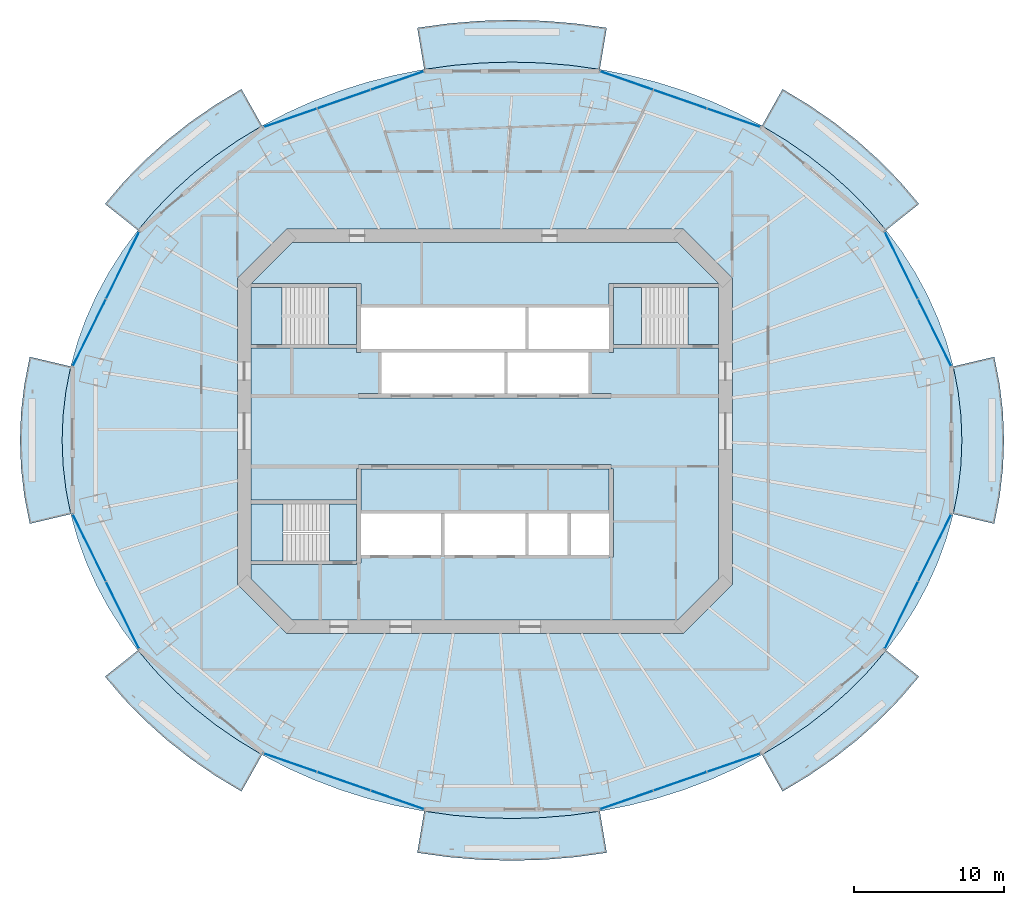
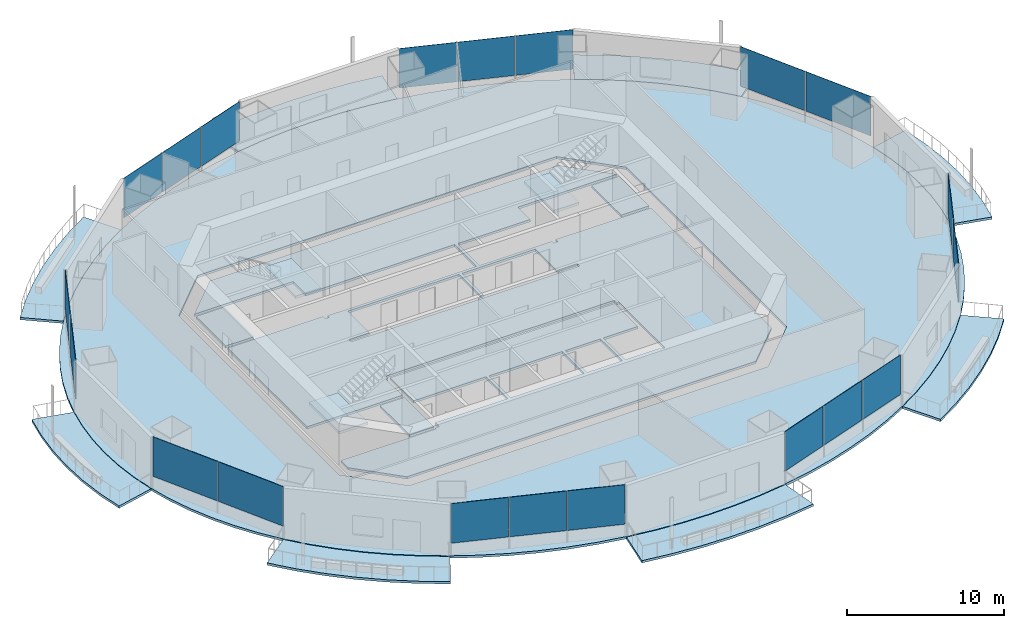
# One storey, part 9 of 19: 20 plates, 16 slabs, 11 elements without a shape of their own.
"""IFC4 building model written with IfcOpenShell, lengths in metres."""

from ifc_helpers import new_model, si_unit, direction, frame, origin, origin_2d, place, context, subcontext, project, spatial, polyline, rectangle, outline, extrude, material, layer, layer_set, type_object, element, aggregate, save


model = new_model("IFC4")

# Units and contexts
model_context = context("Model", 3, precision=1e-05, world=origin(), true_north=direction((0.0, 1.0)))
body_context = subcontext(model_context, "Body", "Model", "MODEL_VIEW")
ifc_project = project(units=[si_unit("LENGTHUNIT", "METRE"), si_unit("AREAUNIT", "SQUARE_METRE"), si_unit("VOLUMEUNIT", "CUBIC_METRE"), si_unit("PLANEANGLEUNIT", "RADIAN"), si_unit("MASSUNIT", "GRAM", prefix="KILO")], contexts=[model_context])

# Site, building, storey
site_placement = place(None, origin())
site = spatial("IfcSite", under=ifc_project, at=site_placement, CompositionType="ELEMENT")
building_placement = place(site_placement, origin())
building = spatial("IfcBuilding", under=site, at=building_placement, Name="Marenthal Gate Tower", CompositionType="ELEMENT")
storey_placement = place(building_placement, frame((0.0, 0.0, 256.5)))
storey = spatial("IfcBuildingStorey", under=building, at=storey_placement, Name="L57", CompositionType="ELEMENT", Elevation=256.5)

# Slabs
ifc_material_1 = material(Name="Concrete 40 MPa", Category="concrete")
ifc_layer_1 = layer(ifc_material_1, 0.179931640625)
ifc_layer_set_1 = layer_set([ifc_layer_1], Name="Balcony deck 180")
slab_type_1 = type_object("IfcSlabType", Name="Balcony deck 180", PredefinedType="USERDEFINED", material=ifc_layer_set_1)
slab_1_placement = place(storey_placement, frame((0.0, 0.0, -0.219970703125)))
element("IfcSlab", 1, at=slab_1_placement, inside=storey, type_object=slab_type_1, Name="Balcony deck L57 bay 2", ObjectType="BALCONY", PredefinedType="USERDEFINED", context=body_context, shape_type="SweptSolid", body=[
    extrude(outline(polyline([(26.68017578125, 13.374755859375), (25.53955078125, 14.712890625), (24.29736328125, 15.985107421875), (22.958740234375, 17.1865234375), (21.529541015625, 18.311767578125), (20.01611328125, 19.35595703125), (18.42431640625, 20.314697265625), (19.79541015625, 22.756103515625), (21.53369140625, 21.708984375), (23.191162109375, 20.565673828125), (24.760498046875, 19.329833984375), (26.23486328125, 18.006591796875), (27.607421875, 16.6005859375), (28.8720703125, 15.116943359375), (26.68017578125, 13.374755859375)])), origin(), (0.0, 0.0, 1.0), 0.179931640625),
])
slab_2_placement = place(storey_placement, frame((0.0, 0.0, -0.219970703125)))
element("IfcSlab", 2, at=slab_2_placement, inside=storey, type_object=slab_type_1, Name="Balcony deck L57 bay 4", ObjectType="BALCONY", PredefinedType="USERDEFINED", context=body_context, shape_type="SweptSolid", body=[
    extrude(outline(polyline([(7.6376953125, 24.07080078125), (5.705810546875, 24.3388671875), (3.757080078125, 24.5), (1.800048828125, 24.553955078125), (-0.156982421875, 24.5), (-2.105712890625, 24.3388671875), (-4.03759765625, 24.07080078125), (-4.49951171875, 26.832275390625), (-2.41357421875, 27.121826171875), (-0.31103515625, 27.2958984375), (1.800048828125, 27.35400390625), (3.9111328125, 27.2958984375), (6.013671875, 27.121826171875), (8.099365234375, 26.832275390625), (7.6376953125, 24.07080078125)])), origin(), (0.0, 0.0, 1.0), 0.179931640625),
])
slab_3_placement = place(storey_placement, frame((0.0, 0.0, -0.219970703125)))
element("IfcSlab", 3, at=slab_3_placement, inside=storey, type_object=slab_type_1, Name="Balcony deck L57 bay 6", ObjectType="BALCONY", PredefinedType="USERDEFINED", context=body_context, shape_type="SweptSolid", body=[
    extrude(outline(polyline([(-14.82421875, 20.314697265625), (-16.416015625, 19.35595703125), (-17.9296875, 18.311767578125), (-19.35888671875, 17.1865234375), (-20.697265625, 15.985107421875), (-21.939453125, 14.712890625), (-23.080078125, 13.374755859375), (-25.27197265625, 15.116943359375), (-24.007568359375, 16.6005859375), (-22.634765625, 18.006591796875), (-21.160400390625, 19.329833984375), (-19.591064453125, 20.565673828125), (-17.933837890625, 21.708984375), (-16.195556640625, 22.756103515625), (-14.82421875, 20.314697265625)])), origin(), (0.0, 0.0, 1.0), 0.179931640625),
])
slab_4_placement = place(storey_placement, frame((0.0, 0.0, -0.219970703125)))
element("IfcSlab", 4, at=slab_4_placement, inside=storey, type_object=slab_type_1, Name="Balcony deck L57 bay 8", ObjectType="BALCONY", PredefinedType="USERDEFINED", context=body_context, shape_type="SweptSolid", body=[
    extrude(outline(polyline([(-27.548095703125, 4.307373046875), (-27.866943359375, 2.683349609375), (-28.058837890625, 1.045166015625), (-28.123046875, -0.60009765625), (-28.058837890625, -2.2451171875), (-27.866943359375, -3.88330078125), (-27.548095703125, -5.50732421875), (-30.272705078125, -6.152099609375), (-30.63330078125, -4.316650390625), (-30.850341796875, -2.462890625), (-30.923095703125, -0.60009765625), (-30.850341796875, 1.262939453125), (-30.63330078125, 3.116455078125), (-30.272705078125, 4.9521484375), (-27.548095703125, 4.307373046875)])), origin(), (0.0, 0.0, 1.0), 0.179931640625),
])
slab_5_placement = place(storey_placement, frame((0.0, 0.0, -0.219970703125)))
element("IfcSlab", 5, at=slab_5_placement, inside=storey, type_object=slab_type_1, Name="Balcony deck L57 bay 10", ObjectType="BALCONY", PredefinedType="USERDEFINED", context=body_context, shape_type="SweptSolid", body=[
    extrude(outline(polyline([(-23.080078125, -14.57470703125), (-21.939453125, -15.912841796875), (-20.697265625, -17.185302734375), (-19.35888671875, -18.38671875), (-17.9296875, -19.51171875), (-16.416015625, -20.555908203125), (-14.82421875, -21.514892578125), (-16.195556640625, -23.9560546875), (-17.933837890625, -22.908935546875), (-19.591064453125, -21.765625), (-21.160400390625, -20.530029296875), (-22.634765625, -19.20654296875), (-24.007568359375, -17.800537109375), (-25.27197265625, -16.317138671875), (-23.080078125, -14.57470703125)])), origin(), (0.0, 0.0, 1.0), 0.179931640625),
])
slab_6_placement = place(storey_placement, frame((0.0, 0.0, -0.219970703125)))
element("IfcSlab", 6, at=slab_6_placement, inside=storey, type_object=slab_type_1, Name="Balcony deck L57 bay 12", ObjectType="BALCONY", PredefinedType="USERDEFINED", context=body_context, shape_type="SweptSolid", body=[
    extrude(outline(polyline([(-4.03759765625, -25.270751953125), (-2.105712890625, -25.538818359375), (-0.156982421875, -25.7001953125), (1.800048828125, -25.75390625), (3.757080078125, -25.7001953125), (5.705810546875, -25.538818359375), (7.6376953125, -25.270751953125), (8.099365234375, -28.032470703125), (6.013671875, -28.32177734375), (3.9111328125, -28.495849609375), (1.800048828125, -28.553955078125), (-0.31103515625, -28.495849609375), (-2.41357421875, -28.32177734375), (-4.49951171875, -28.032470703125), (-4.03759765625, -25.270751953125)])), origin(), (0.0, 0.0, 1.0), 0.179931640625),
])
slab_7_placement = place(storey_placement, frame((0.0, 0.0, -0.219970703125)))
element("IfcSlab", 7, at=slab_7_placement, inside=storey, type_object=slab_type_1, Name="Balcony deck L57 bay 14", ObjectType="BALCONY", PredefinedType="USERDEFINED", context=body_context, shape_type="SweptSolid", body=[
    extrude(outline(polyline([(18.42431640625, -21.514892578125), (20.01611328125, -20.555908203125), (21.529541015625, -19.51171875), (22.958740234375, -18.38671875), (24.29736328125, -17.185302734375), (25.53955078125, -15.912841796875), (26.68017578125, -14.57470703125), (28.8720703125, -16.317138671875), (27.607421875, -17.800537109375), (26.23486328125, -19.20654296875), (24.760498046875, -20.530029296875), (23.191162109375, -21.765625), (21.53369140625, -22.908935546875), (19.79541015625, -23.9560546875), (18.42431640625, -21.514892578125)])), origin(), (0.0, 0.0, 1.0), 0.179931640625),
])
slab_8_placement = place(storey_placement, frame((0.0, 0.0, -0.219970703125)))
element("IfcSlab", 8, at=slab_8_placement, inside=storey, type_object=slab_type_1, Name="Balcony deck L57 bay 16", ObjectType="BALCONY", PredefinedType="USERDEFINED", context=body_context, shape_type="SweptSolid", body=[
    extrude(outline(polyline([(31.14794921875, -5.50732421875), (31.467041015625, -3.88330078125), (31.658935546875, -2.2451171875), (31.722900390625, -0.60009765625), (31.658935546875, 1.045166015625), (31.467041015625, 2.683349609375), (31.14794921875, 4.307373046875), (33.872802734375, 4.9521484375), (34.2333984375, 3.116455078125), (34.450439453125, 1.262939453125), (34.52294921875, -0.60009765625), (34.450439453125, -2.462890625), (34.2333984375, -4.316650390625), (33.872802734375, -6.152099609375), (31.14794921875, -5.50732421875)])), origin(), (0.0, 0.0, 1.0), 0.179931640625),
])
ifc_material_2 = material(Name="Concrete 50 MPa", Category="concrete")
ifc_layer_2 = layer(ifc_material_2, 0.179931640625)
ifc_layer_set_2 = layer_set([ifc_layer_2], Name="Core floor slab 180")
slab_type_2 = type_object("IfcSlabType", Name="Core floor slab 180", PredefinedType="FLOOR", material=ifc_layer_set_2)
slab_9_placement = place(storey_placement, frame((0.0, 0.0, -0.179931640625)))
element("IfcSlab", 9, at=slab_9_placement, inside=storey, type_object=slab_type_2, Name="Core floor L57", PredefinedType="FLOOR", context=body_context, shape_type="SweptSolid", body=[
    extrude(outline(polyline([(12.813720703125, -12.550048828125), (-12.813720703125, -12.550048828125), (-15.550048828125, -9.813720703125), (-15.550048828125, -8.875), (-8.550048828125, -8.875), (-8.550048828125, -8.75), (-8.25, -8.75), (-8.25, -8.239990234375), (-5.60009765625, -8.239990234375), (-2.909912109375, -8.239990234375), (-2.909912109375, -5.4599609375), (-5.60009765625, -5.4599609375), (-8.25, -5.4599609375), (-8.25, -2.5), (8.25, -2.5), (8.25, -5.4599609375), (5.7099609375, -5.4599609375), (5.7099609375, -8.239990234375), (8.25, -8.239990234375), (8.25, -8.35009765625), (8.550048828125, -8.35009765625), (8.550048828125, -2.5), (8.39990234375, -2.5), (8.39990234375, -2.199951171875), (-8.39990234375, -2.199951171875), (-8.39990234375, -2.5), (-8.550048828125, -2.5), (-8.550048828125, -4.574951171875), (-15.550048828125, -4.574951171875), (-15.550048828125, 5.52490234375), (-8.550048828125, 5.52490234375), (-8.550048828125, 5.239990234375), (-8.25, 5.239990234375), (-8.25, 5.4599609375), (-5.60009765625, 5.4599609375), (-2.800048828125, 5.4599609375), (0.0, 5.4599609375), (2.68994140625, 5.4599609375), (2.68994140625, 8.239990234375), (0.0, 8.239990234375), (-2.800048828125, 8.239990234375), (-5.60009765625, 8.239990234375), (-8.25, 8.239990234375), (-8.25, 8.35009765625), (-8.25, 9.824951171875), (-8.550048828125, 9.824951171875), (-15.53857421875, 9.824951171875), (-12.813720703125, 12.550048828125), (12.813720703125, 12.550048828125), (15.53857421875, 9.824951171875), (8.550048828125, 9.824951171875), (8.25, 9.824951171875), (8.25, 8.35009765625), (8.25, 8.239990234375), (5.60009765625, 8.239990234375), (2.909912109375, 8.239990234375), (2.909912109375, 5.4599609375), (5.60009765625, 5.4599609375), (8.25, 5.4599609375), (8.25, 5.239990234375), (8.550048828125, 5.239990234375), (8.550048828125, 5.52490234375), (15.550048828125, 5.52490234375), (15.550048828125, -9.813720703125), (12.813720703125, -12.550048828125)]), holes=[polyline([(2.68994140625, -8.239990234375), (2.68994140625, -5.4599609375), (0.0, -5.4599609375), (-2.68994140625, -5.4599609375), (-2.68994140625, -8.239990234375), (0.0, -8.239990234375), (2.68994140625, -8.239990234375)]), polyline([(-6.889892578125, 5.239990234375), (-6.889892578125, 2.5), (-8.39990234375, 2.5), (-8.39990234375, 2.199951171875), (8.39990234375, 2.199951171875), (8.39990234375, 2.5), (6.889892578125, 2.5), (6.889892578125, 5.239990234375), (4.199951171875, 5.239990234375), (1.510009765625, 5.239990234375), (1.510009765625, 2.5), (1.2900390625, 2.5), (1.2900390625, 5.239990234375), (-1.39990234375, 5.239990234375), (-4.199951171875, 5.239990234375), (-6.889892578125, 5.239990234375)]), polyline([(5.489990234375, -5.4599609375), (2.909912109375, -5.4599609375), (2.909912109375, -8.239990234375), (5.489990234375, -8.239990234375), (5.489990234375, -5.4599609375)])]), origin(), (0.0, 0.0, 1.0), 0.179931640625),
])
slab_10_placement = place(storey_placement, frame((0.0, 0.0, -0.179931640625)))
element("IfcSlab", 10, at=slab_10_placement, inside=storey, type_object=slab_type_2, Name="Core floor L57", PredefinedType="FLOOR", context=body_context, shape_type="SweptSolid", body=[
    extrude(outline(polyline([(15.550048828125, 5.77490234375), (13.5, 5.77490234375), (13.5, 9.574951171875), (15.550048828125, 9.574951171875), (15.550048828125, 5.77490234375)])), origin(), (0.0, 0.0, 1.0), 0.179931640625),
])
slab_11_placement = place(storey_placement, frame((0.0, 0.0, -0.179931640625)))
element("IfcSlab", 11, at=slab_11_placement, inside=storey, type_object=slab_type_2, Name="Core floor L57", PredefinedType="FLOOR", context=body_context, shape_type="SweptSolid", body=[
    extrude(outline(polyline([(-15.550048828125, 9.574951171875), (-13.5, 9.574951171875), (-13.5, 5.77490234375), (-15.550048828125, 5.77490234375), (-15.550048828125, 9.574951171875)])), origin(), (0.0, 0.0, 1.0), 0.179931640625),
])
slab_12_placement = place(storey_placement, frame((0.0, 0.0, -0.179931640625)))
element("IfcSlab", 12, at=slab_12_placement, inside=storey, type_object=slab_type_2, Name="Core floor L57", PredefinedType="FLOOR", context=body_context, shape_type="SweptSolid", body=[
    extrude(outline(polyline([(-8.550048828125, -8.625), (-10.35009765625, -8.625), (-10.35009765625, -4.824951171875), (-8.550048828125, -4.824951171875), (-8.550048828125, -8.625)])), origin(), (0.0, 0.0, 1.0), 0.179931640625),
])
ifc_material_3 = material(Name="Concrete 35 MPa", Category="concrete")
ifc_layer_3 = layer(ifc_material_3, 0.179931640625)
ifc_layer_set_3 = layer_set([ifc_layer_3], Name="Floor slab 180")
slab_type_3 = type_object("IfcSlabType", Name="Floor slab 180", PredefinedType="FLOOR", material=ifc_layer_set_3)
slab_13_placement = place(storey_placement, frame((0.0, 0.0, -0.179931640625)))
element("IfcSlab", 13, at=slab_13_placement, inside=storey, type_object=slab_type_3, Name="SL-L57-01", PredefinedType="FLOOR", context=body_context, shape_type="SweptSolid", body=[
    extrude(outline(polyline([(31.722900390625, -0.60009765625), (31.658935546875, 1.045166015625), (31.467041015625, 2.683349609375), (31.14794921875, 4.307373046875), (30.703369140625, 5.910400390625), (30.135009765625, 7.485595703125), (29.4453125, 9.02587890625), (28.63720703125, 10.525390625), (27.714111328125, 11.97705078125), (26.68017578125, 13.374755859375), (25.53955078125, 14.712890625), (24.29736328125, 15.985107421875), (22.958740234375, 17.1865234375), (21.529541015625, 18.311767578125), (20.01611328125, 19.35595703125), (18.42431640625, 20.314697265625), (16.761474609375, 21.18408203125), (15.03466796875, 21.9599609375), (13.2509765625, 22.639404296875), (11.41845703125, 23.218994140625), (9.544677734375, 23.697021484375), (7.6376953125, 24.07080078125), (5.705810546875, 24.3388671875), (3.757080078125, 24.5), (1.800048828125, 24.553955078125), (-0.156982421875, 24.5), (-2.105712890625, 24.3388671875), (-4.03759765625, 24.07080078125), (-5.944580078125, 23.697021484375), (-7.818359375, 23.218994140625), (-9.65087890625, 22.639404296875), (-11.4345703125, 21.9599609375), (-13.16162109375, 21.18408203125), (-14.82421875, 20.314697265625), (-16.416015625, 19.35595703125), (-17.9296875, 18.311767578125), (-19.35888671875, 17.1865234375), (-20.697265625, 15.985107421875), (-21.939453125, 14.712890625), (-23.080078125, 13.374755859375), (-24.114013671875, 11.97705078125), (-25.037109375, 10.525390625), (-25.84521484375, 9.02587890625), (-26.534912109375, 7.485595703125), (-27.103515625, 5.910400390625), (-27.548095703125, 4.307373046875), (-27.866943359375, 2.683349609375), (-28.058837890625, 1.045166015625), (-28.123046875, -0.60009765625), (-28.058837890625, -2.2451171875), (-27.866943359375, -3.88330078125), (-27.548095703125, -5.50732421875), (-27.103515625, -7.1103515625), (-26.534912109375, -8.685546875), (-25.84521484375, -10.22607421875), (-25.037109375, -11.725341796875), (-24.114013671875, -13.177001953125), (-23.080078125, -14.57470703125), (-21.939453125, -15.912841796875), (-20.697265625, -17.185302734375), (-19.35888671875, -18.38671875), (-17.9296875, -19.51171875), (-16.416015625, -20.555908203125), (-14.82421875, -21.514892578125), (-13.16162109375, -22.384033203125), (-11.4345703125, -23.159912109375), (-9.65087890625, -23.83935546875), (-7.818359375, -24.419189453125), (-5.944580078125, -24.89697265625), (-4.03759765625, -25.270751953125), (-2.105712890625, -25.538818359375), (-0.156982421875, -25.7001953125), (1.800048828125, -25.75390625), (3.757080078125, -25.7001953125), (5.705810546875, -25.538818359375), (7.6376953125, -25.270751953125), (9.544677734375, -24.89697265625), (11.41845703125, -24.419189453125), (13.2509765625, -23.83935546875), (15.03466796875, -23.159912109375), (16.761474609375, -22.384033203125), (18.42431640625, -21.514892578125), (20.01611328125, -20.555908203125), (21.529541015625, -19.51171875), (22.958740234375, -18.38671875), (24.29736328125, -17.185302734375), (25.53955078125, -15.912841796875), (26.68017578125, -14.57470703125), (27.714111328125, -13.177001953125), (28.63720703125, -11.725341796875), (29.4453125, -10.22607421875), (30.135009765625, -8.685546875), (30.703369140625, -7.1103515625), (31.14794921875, -5.50732421875), (31.467041015625, -3.88330078125), (31.658935546875, -2.2451171875), (31.722900390625, -0.60009765625)]), holes=[polyline([(13.186279296875, -13.449951171875), (16.449951171875, -10.186279296875), (16.449951171875, 10.186279296875), (13.186279296875, 13.449951171875), (-13.186279296875, 13.449951171875), (-16.449951171875, 10.186279296875), (-16.449951171875, -10.186279296875), (-13.186279296875, -13.449951171875), (13.186279296875, -13.449951171875)])]), origin(), (0.0, 0.0, 1.0), 0.179931640625),
])

# Curtain wall, plates
ifc_material_4 = material(Name="Aluminium and glass", Category="aluminium")
curtain_wall_type = type_object("IfcCurtainWallType", Name="Curtain wall typical mid", PredefinedType="NOTDEFINED", material=ifc_material_4)
curtain_wall_1_placement = place(storey_placement, origin())
curtain_wall_1 = element("IfcCurtainWall", 14, at=curtain_wall_1_placement, inside=storey, type_object=curtain_wall_type, Name="Curtain wall L57 bay 1", PredefinedType="NOTDEFINED")
ifc_material_5 = material(Name="Glass, laminated insulating unit", Category="glass")
ifc_layer_4 = layer(ifc_material_5, 0.030029296875)
ifc_layer_set_4 = layer_set([ifc_layer_4], Name="Glass panel 30 typical mid")
plate_type = type_object("IfcPlateType", Name="Glass panel 30 typical mid", PredefinedType="CURTAIN_PANEL", material=ifc_layer_set_4)
plate_1_placement = place(storey_placement, frame((29.9111328125, 6.553466796875, 0.89990234375), z_axis=(0.0, 0.0, 1.0), x_axis=(-0.44226926732, 0.896882319585, 0.0)))
plate_1 = element("IfcPlate", 15, at=plate_1_placement, type_object=plate_type, Name="Glass panel L57 bay 1.1", PredefinedType="CURTAIN_PANEL", context=body_context, shape_type="SweptSolid", body=[
    extrude(rectangle(XDim=4.94091796875, YDim=0.030029296875, at=origin_2d()), origin(), (0.0, 0.0, 1.0), 3.070068359375),
])
plate_2_placement = place(storey_placement, frame((27.699462890625, 11.03857421875, 0.89990234375), z_axis=(0.0, 0.0, 1.0), x_axis=(-0.44226926732, 0.896882319585, 0.0)))
plate_2 = element("IfcPlate", 16, at=plate_2_placement, type_object=plate_type, Name="Glass panel L57 bay 1.2", PredefinedType="CURTAIN_PANEL", context=body_context, shape_type="SweptSolid", body=[
    extrude(rectangle(XDim=4.94091796875, YDim=0.030029296875, at=origin_2d()), origin(), (0.0, 0.0, 1.0), 3.070068359375),
])
aggregate(curtain_wall_1, [plate_1, plate_2])

curtain_wall_2_placement = place(storey_placement, origin())
curtain_wall_2 = element("IfcCurtainWall", 17, at=curtain_wall_2_placement, inside=storey, type_object=curtain_wall_type, Name="Curtain wall L57 bay 3", PredefinedType="NOTDEFINED")
plate_3_placement = place(storey_placement, frame((16.54833984375, 20.844482421875, 0.89990234375), z_axis=(0.0, 0.0, 1.0), x_axis=(-0.944465007872, 0.328612003593, 0.0)))
plate_3 = element("IfcPlate", 18, at=plate_3_placement, type_object=plate_type, Name="Glass panel L57 bay 3.1", PredefinedType="CURTAIN_PANEL", context=body_context, shape_type="SweptSolid", body=[
    extrude(rectangle(XDim=3.711669921875, YDim=0.030029296875, at=origin_2d()), origin(), (0.0, 0.0, 1.0), 3.070068359375),
])
plate_4_placement = place(storey_placement, frame((12.986083984375, 22.083984375, 0.89990234375), z_axis=(0.0, 0.0, 1.0), x_axis=(-0.944465007872, 0.328612003593, 0.0)))
plate_4 = element("IfcPlate", 19, at=plate_4_placement, type_object=plate_type, Name="Glass panel L57 bay 3.2", PredefinedType="CURTAIN_PANEL", context=body_context, shape_type="SweptSolid", body=[
    extrude(rectangle(XDim=3.711669921875, YDim=0.030029296875, at=origin_2d()), origin(), (0.0, 0.0, 1.0), 3.070068359375),
])
plate_5_placement = place(storey_placement, frame((9.423828125, 23.323486328125, 0.89990234375), z_axis=(0.0, 0.0, 1.0), x_axis=(-0.944465007872, 0.328612003593, 0.0)))
plate_5 = element("IfcPlate", 20, at=plate_5_placement, type_object=plate_type, Name="Glass panel L57 bay 3.3", PredefinedType="CURTAIN_PANEL", context=body_context, shape_type="SweptSolid", body=[
    extrude(rectangle(XDim=3.711669921875, YDim=0.030029296875, at=origin_2d()), origin(), (0.0, 0.0, 1.0), 3.070068359375),
])
aggregate(curtain_wall_2, [plate_3, plate_4, plate_5])

curtain_wall_3_placement = place(storey_placement, origin())
curtain_wall_3 = element("IfcCurtainWall", 21, at=curtain_wall_3_placement, inside=storey, type_object=curtain_wall_type, Name="Curtain wall L57 bay 5", PredefinedType="NOTDEFINED")
plate_6_placement = place(storey_placement, frame((-5.82373046875, 23.323486328125, 0.89990234375), z_axis=(0.0, 0.0, 1.0), x_axis=(-0.944465007872, -0.328612003593, 0.0)))
plate_6 = element("IfcPlate", 22, at=plate_6_placement, type_object=plate_type, Name="Glass panel L57 bay 5.1", PredefinedType="CURTAIN_PANEL", context=body_context, shape_type="SweptSolid", body=[
    extrude(rectangle(XDim=3.711669921875, YDim=0.030029296875, at=origin_2d()), origin(), (0.0, 0.0, 1.0), 3.070068359375),
])
plate_7_placement = place(storey_placement, frame((-9.385986328125, 22.083984375, 0.89990234375), z_axis=(0.0, 0.0, 1.0), x_axis=(-0.944465007872, -0.328612003593, 0.0)))
plate_7 = element("IfcPlate", 23, at=plate_7_placement, type_object=plate_type, Name="Glass panel L57 bay 5.2", PredefinedType="CURTAIN_PANEL", context=body_context, shape_type="SweptSolid", body=[
    extrude(rectangle(XDim=3.711669921875, YDim=0.030029296875, at=origin_2d()), origin(), (0.0, 0.0, 1.0), 3.070068359375),
])
plate_8_placement = place(storey_placement, frame((-12.9482421875, 20.844482421875, 0.89990234375), z_axis=(0.0, 0.0, 1.0), x_axis=(-0.944465007872, -0.328612003593, 0.0)))
plate_8 = element("IfcPlate", 24, at=plate_8_placement, type_object=plate_type, Name="Glass panel L57 bay 5.3", PredefinedType="CURTAIN_PANEL", context=body_context, shape_type="SweptSolid", body=[
    extrude(rectangle(XDim=3.711669921875, YDim=0.030029296875, at=origin_2d()), origin(), (0.0, 0.0, 1.0), 3.070068359375),
])
aggregate(curtain_wall_3, [plate_6, plate_7, plate_8])

curtain_wall_4_placement = place(storey_placement, origin())
curtain_wall_4 = element("IfcCurtainWall", 25, at=curtain_wall_4_placement, inside=storey, type_object=curtain_wall_type, Name="Curtain wall L57 bay 7", PredefinedType="NOTDEFINED")
plate_9_placement = place(storey_placement, frame((-24.099365234375, 11.03857421875, 0.89990234375), z_axis=(0.0, 0.0, 1.0), x_axis=(-0.44226926732, -0.896882319585, 0.0)))
plate_9 = element("IfcPlate", 26, at=plate_9_placement, type_object=plate_type, Name="Glass panel L57 bay 7.1", PredefinedType="CURTAIN_PANEL", context=body_context, shape_type="SweptSolid", body=[
    extrude(rectangle(XDim=4.94091796875, YDim=0.030029296875, at=origin_2d()), origin(), (0.0, 0.0, 1.0), 3.070068359375),
])
plate_10_placement = place(storey_placement, frame((-26.311279296875, 6.553466796875, 0.89990234375), z_axis=(0.0, 0.0, 1.0), x_axis=(-0.44226926732, -0.896882319585, 0.0)))
plate_10 = element("IfcPlate", 27, at=plate_10_placement, type_object=plate_type, Name="Glass panel L57 bay 7.2", PredefinedType="CURTAIN_PANEL", context=body_context, shape_type="SweptSolid", body=[
    extrude(rectangle(XDim=4.94091796875, YDim=0.030029296875, at=origin_2d()), origin(), (0.0, 0.0, 1.0), 3.070068359375),
])
aggregate(curtain_wall_4, [plate_9, plate_10])

curtain_wall_5_placement = place(storey_placement, origin())
curtain_wall_5 = element("IfcCurtainWall", 28, at=curtain_wall_5_placement, inside=storey, type_object=curtain_wall_type, Name="Curtain wall L57 bay 9", PredefinedType="NOTDEFINED")
plate_11_placement = place(storey_placement, frame((-26.311279296875, -7.75341796875, 0.89990234375), z_axis=(0.0, 0.0, 1.0), x_axis=(0.44226926732, -0.896882319585, 0.0)))
plate_11 = element("IfcPlate", 29, at=plate_11_placement, type_object=plate_type, Name="Glass panel L57 bay 9.1", PredefinedType="CURTAIN_PANEL", context=body_context, shape_type="SweptSolid", body=[
    extrude(rectangle(XDim=4.94091796875, YDim=0.030029296875, at=origin_2d()), origin(), (0.0, 0.0, 1.0), 3.070068359375),
])
plate_12_placement = place(storey_placement, frame((-24.099365234375, -12.238525390625, 0.89990234375), z_axis=(0.0, 0.0, 1.0), x_axis=(0.44226926732, -0.896882319585, 0.0)))
plate_12 = element("IfcPlate", 30, at=plate_12_placement, type_object=plate_type, Name="Glass panel L57 bay 9.2", PredefinedType="CURTAIN_PANEL", context=body_context, shape_type="SweptSolid", body=[
    extrude(rectangle(XDim=4.94091796875, YDim=0.030029296875, at=origin_2d()), origin(), (0.0, 0.0, 1.0), 3.070068359375),
])
aggregate(curtain_wall_5, [plate_11, plate_12])

curtain_wall_6_placement = place(storey_placement, origin())
curtain_wall_6 = element("IfcCurtainWall", 31, at=curtain_wall_6_placement, inside=storey, type_object=curtain_wall_type, Name="Curtain wall L57 bay 11", PredefinedType="NOTDEFINED")
plate_13_placement = place(storey_placement, frame((-12.9482421875, -22.044677734375, 0.89990234375), z_axis=(0.0, 0.0, 1.0), x_axis=(0.944465007872, -0.328612003593, 0.0)))
plate_13 = element("IfcPlate", 32, at=plate_13_placement, type_object=plate_type, Name="Glass panel L57 bay 11.1", PredefinedType="CURTAIN_PANEL", context=body_context, shape_type="SweptSolid", body=[
    extrude(rectangle(XDim=3.711669921875, YDim=0.030029296875, at=origin_2d()), origin(), (0.0, 0.0, 1.0), 3.070068359375),
])
plate_14_placement = place(storey_placement, frame((-9.385986328125, -23.283935546875, 0.89990234375), z_axis=(0.0, 0.0, 1.0), x_axis=(0.944465007872, -0.328612003593, 0.0)))
plate_14 = element("IfcPlate", 33, at=plate_14_placement, type_object=plate_type, Name="Glass panel L57 bay 11.2", PredefinedType="CURTAIN_PANEL", context=body_context, shape_type="SweptSolid", body=[
    extrude(rectangle(XDim=3.711669921875, YDim=0.030029296875, at=origin_2d()), origin(), (0.0, 0.0, 1.0), 3.070068359375),
])
plate_15_placement = place(storey_placement, frame((-5.82373046875, -24.5234375, 0.89990234375), z_axis=(0.0, 0.0, 1.0), x_axis=(0.944465007872, -0.328612003593, 0.0)))
plate_15 = element("IfcPlate", 34, at=plate_15_placement, type_object=plate_type, Name="Glass panel L57 bay 11.3", PredefinedType="CURTAIN_PANEL", context=body_context, shape_type="SweptSolid", body=[
    extrude(rectangle(XDim=3.711669921875, YDim=0.030029296875, at=origin_2d()), origin(), (0.0, 0.0, 1.0), 3.070068359375),
])
aggregate(curtain_wall_6, [plate_13, plate_14, plate_15])

curtain_wall_7_placement = place(storey_placement, origin())
curtain_wall_7 = element("IfcCurtainWall", 35, at=curtain_wall_7_placement, inside=storey, type_object=curtain_wall_type, Name="Curtain wall L57 bay 13", PredefinedType="NOTDEFINED")
plate_16_placement = place(storey_placement, frame((9.423828125, -24.5234375, 0.89990234375), z_axis=(0.0, 0.0, 1.0), x_axis=(0.944465007872, 0.328612003593, 0.0)))
plate_16 = element("IfcPlate", 36, at=plate_16_placement, type_object=plate_type, Name="Glass panel L57 bay 13.1", PredefinedType="CURTAIN_PANEL", context=body_context, shape_type="SweptSolid", body=[
    extrude(rectangle(XDim=3.711669921875, YDim=0.030029296875, at=origin_2d()), origin(), (0.0, 0.0, 1.0), 3.070068359375),
])
plate_17_placement = place(storey_placement, frame((12.986083984375, -23.283935546875, 0.89990234375), z_axis=(0.0, 0.0, 1.0), x_axis=(0.944465007872, 0.328612003593, 0.0)))
plate_17 = element("IfcPlate", 37, at=plate_17_placement, type_object=plate_type, Name="Glass panel L57 bay 13.2", PredefinedType="CURTAIN_PANEL", context=body_context, shape_type="SweptSolid", body=[
    extrude(rectangle(XDim=3.711669921875, YDim=0.030029296875, at=origin_2d()), origin(), (0.0, 0.0, 1.0), 3.070068359375),
])
plate_18_placement = place(storey_placement, frame((16.54833984375, -22.044677734375, 0.89990234375), z_axis=(0.0, 0.0, 1.0), x_axis=(0.944465007872, 0.328612003593, 0.0)))
plate_18 = element("IfcPlate", 38, at=plate_18_placement, type_object=plate_type, Name="Glass panel L57 bay 13.3", PredefinedType="CURTAIN_PANEL", context=body_context, shape_type="SweptSolid", body=[
    extrude(rectangle(XDim=3.711669921875, YDim=0.030029296875, at=origin_2d()), origin(), (0.0, 0.0, 1.0), 3.070068359375),
])
aggregate(curtain_wall_7, [plate_16, plate_17, plate_18])

curtain_wall_8_placement = place(storey_placement, origin())
curtain_wall_8 = element("IfcCurtainWall", 39, at=curtain_wall_8_placement, inside=storey, type_object=curtain_wall_type, Name="Curtain wall L57 bay 15", PredefinedType="NOTDEFINED")
plate_19_placement = place(storey_placement, frame((27.699462890625, -12.238525390625, 0.89990234375), z_axis=(0.0, 0.0, 1.0), x_axis=(0.44226926732, 0.896882319585, 0.0)))
plate_19 = element("IfcPlate", 40, at=plate_19_placement, type_object=plate_type, Name="Glass panel L57 bay 15.1", PredefinedType="CURTAIN_PANEL", context=body_context, shape_type="SweptSolid", body=[
    extrude(rectangle(XDim=4.94091796875, YDim=0.030029296875, at=origin_2d()), origin(), (0.0, 0.0, 1.0), 3.070068359375),
])
plate_20_placement = place(storey_placement, frame((29.9111328125, -7.75341796875, 0.89990234375), z_axis=(0.0, 0.0, 1.0), x_axis=(0.44226926732, 0.896882319585, 0.0)))
plate_20 = element("IfcPlate", 41, at=plate_20_placement, type_object=plate_type, Name="Glass panel L57 bay 15.2", PredefinedType="CURTAIN_PANEL", context=body_context, shape_type="SweptSolid", body=[
    extrude(rectangle(XDim=4.94091796875, YDim=0.030029296875, at=origin_2d()), origin(), (0.0, 0.0, 1.0), 3.070068359375),
])
aggregate(curtain_wall_8, [plate_19, plate_20])

# Stair, slab
ifc_material_6 = material(Name="Concrete 40 MPa", Category="concrete")
stair_type = type_object("IfcStairType", Name="Exit stair 1800", PredefinedType="HALF_TURN_STAIR", material=ifc_material_6)
stair_1_placement = place(storey_placement, origin())
stair_1 = element("IfcStair", 42, at=stair_1_placement, inside=storey, type_object=stair_type, Name="Stair ST1", PredefinedType="HALF_TURN_STAIR")
ifc_material_7 = material(Name="Concrete 40 MPa", Category="concrete")
ifc_layer_5 = layer(ifc_material_7, 0.199951171875)
ifc_layer_set_5 = layer_set([ifc_layer_5], Name="Stair landing 200")
slab_type_4 = type_object("IfcSlabType", Name="Stair landing 200", PredefinedType="LANDING", material=ifc_layer_set_5)
slab_14_placement = place(storey_placement, frame((0.0, 0.0, 1.875)))
slab_14 = element("IfcSlab", 43, at=slab_14_placement, type_object=slab_type_4, Name="ST1 landing 1", PredefinedType="LANDING", context=body_context, shape_type="SweptSolid", body=[
    extrude(outline(polyline([(-10.419921875, 5.77490234375), (-8.550048828125, 5.77490234375), (-8.550048828125, 9.574951171875), (-10.419921875, 9.574951171875), (-10.419921875, 5.77490234375)])), origin(), (0.0, 0.0, 1.0), 0.199951171875),
])
aggregate(stair_1, [slab_14])

stair_2_placement = place(storey_placement, origin())
stair_2 = element("IfcStair", 44, at=stair_2_placement, inside=storey, type_object=stair_type, Name="Stair ST2", PredefinedType="HALF_TURN_STAIR")
slab_15_placement = place(storey_placement, frame((0.0, 0.0, 1.875)))
slab_15 = element("IfcSlab", 45, at=slab_15_placement, type_object=slab_type_4, Name="ST2 landing 1", PredefinedType="LANDING", context=body_context, shape_type="SweptSolid", body=[
    extrude(outline(polyline([(-15.550048828125, -8.625), (-13.429931640625, -8.625), (-13.429931640625, -4.824951171875), (-15.550048828125, -4.824951171875), (-15.550048828125, -8.625)])), origin(), (0.0, 0.0, 1.0), 0.199951171875),
])
aggregate(stair_2, [slab_15])

stair_3_placement = place(storey_placement, origin())
stair_3 = element("IfcStair", 46, at=stair_3_placement, inside=storey, type_object=stair_type, Name="Stair ST3", PredefinedType="HALF_TURN_STAIR")
slab_16_placement = place(storey_placement, frame((0.0, 0.0, 1.875)))
slab_16 = element("IfcSlab", 47, at=slab_16_placement, type_object=slab_type_4, Name="ST3 landing 1", PredefinedType="LANDING", context=body_context, shape_type="SweptSolid", body=[
    extrude(outline(polyline([(8.550048828125, 5.77490234375), (10.419921875, 5.77490234375), (10.419921875, 9.574951171875), (8.550048828125, 9.574951171875), (8.550048828125, 5.77490234375)])), origin(), (0.0, 0.0, 1.0), 0.199951171875),
])
aggregate(stair_3, [slab_16])

save(model, "model.ifc")
